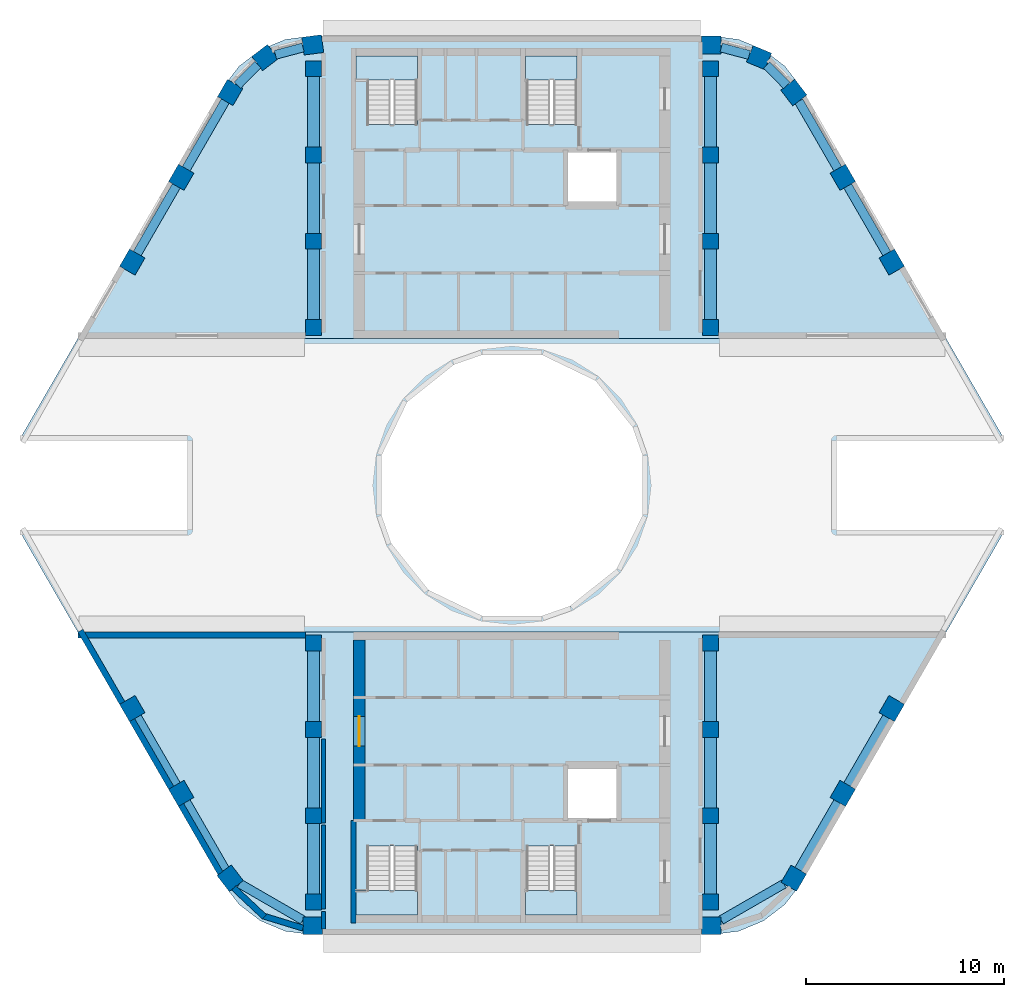
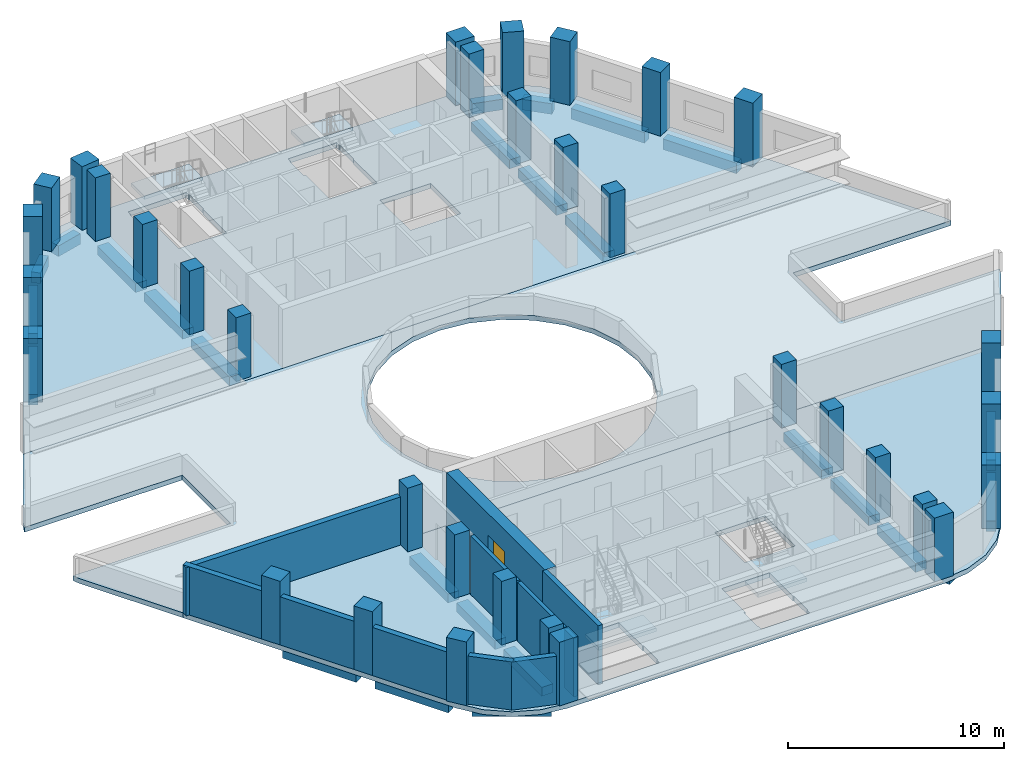
# One storey, part 1 of 9: 34 columns, 26 beams, 11 walls, 7 slabs, 1 door, 1 opening, 4 elements without a shape of their own.
"""IFC4 building model written with IfcOpenShell, lengths in metres."""

from ifc_helpers import new_model, si_unit, direction, frame, frame_2d, origin, origin_2d, place, context, subcontext, project, spatial, polyline, rectangle, outline, extrude, material, layer, layer_set, material_profile, profile_set, type_object, element, fill, aggregate, save


model = new_model("IFC4")

# Units and contexts
model_context = context("Model", 3, precision=1e-05, world=origin(), true_north=direction((0.0, 1.0)))
body_context = subcontext(model_context, "Body", "Model", "MODEL_VIEW")
ifc_project = project(units=[si_unit("LENGTHUNIT", "METRE"), si_unit("AREAUNIT", "SQUARE_METRE"), si_unit("VOLUMEUNIT", "CUBIC_METRE"), si_unit("PLANEANGLEUNIT", "RADIAN"), si_unit("MASSUNIT", "GRAM", prefix="KILO")], contexts=[model_context])

# Site, building, storey
site_placement = place(None, origin())
site = spatial("IfcSite", under=ifc_project, at=site_placement, CompositionType="ELEMENT")
building_placement = place(site_placement, origin())
building = spatial("IfcBuilding", under=site, at=building_placement, Name="Nakaniwa Court", CompositionType="ELEMENT")
storey_placement = place(building_placement, frame((0.0, 0.0, 276.0)))
storey = spatial("IfcBuildingStorey", under=building, at=storey_placement, Name="C02", CompositionType="ELEMENT", Elevation=276.0)

# Columns
ifc_material_1 = material(Name="Concrete C80/100", Category="concrete")
ifc_material_profile_1 = material_profile(ifc_material_1, rectangle(XDim=1.0, YDim=0.89990234375, at=origin_2d()), Name="Concrete C80/100 RC 1000x900 perimeter column")
ifc_profile_set_1 = profile_set([ifc_material_profile_1], Name="Concrete C80/100")
column_type_1 = type_object("IfcColumnType", Name="Concrete C80/100 RC 1000x900 perimeter column", PredefinedType="COLUMN", material=ifc_profile_set_1)
for number, where, z_axis, x_axis, name in (
    (1, (69.95458984375, 102.199951171875, 0.0), (0.0, 0.0, 1.0), (-0.991442583111, -0.130543496177, 0.0), "COLUMN CO-01"),
    (2, (67.552001953125, 101.560302734375, 0.0), (0.0, 0.0, 1.0), (-0.793363965062, -0.608747582288, 0.0), "COLUMN CO-02"),
    (3, (65.796875, 99.799560546875, 0.0), (0.0, 0.0, 1.0), (-0.5, -0.866025403784, 0.0), "COLUMN CO-03"),
    (4, (63.328857421875, 95.524658203125, 0.0), (0.0, 0.0, 1.0), (-0.5, -0.866025403784, 0.0), "COLUMN CO-04"),
    (5, (60.860595703125, 91.249755859375, 0.0), (0.0, 0.0, 1.0), (-0.5, -0.866025403784, 0.0), "COLUMN CO-05"),
    (6, (60.860595703125, 68.750244140625, 0.0), (0.0, 0.0, 1.0), (0.5, -0.866025403784, 0.0), "COLUMN CO-14"),
    (7, (63.328857421875, 64.475341796875, 0.0), (0.0, 0.0, 1.0), (0.5, -0.866025403784, 0.0), "COLUMN CO-15"),
    (8, (65.796875, 60.200439453125, 0.0), (0.0, 0.0, 1.0), (0.608761429009, -0.793353340291, 0.0), "COLUMN CO-16"),
    (9, (69.95458984375, 57.800048828125, 0.0), (0.0, 0.0, 1.0), (1.0, 0.0, 0.0), "COLUMN CO-17"),
    (10, (90.03955078125, 57.800048828125, 0.0), (0.0, 0.0, 1.0), (1.0, 0.0, 0.0), "COLUMN CO-21"),
    (11, (94.203125, 60.200439453125, 0.0), (0.0, 0.0, 1.0), (0.5, 0.866025403784, 0.0), "COLUMN CO-22"),
    (12, (96.671142578125, 64.475341796875, 0.0), (0.0, 0.0, 1.0), (0.5, 0.866025403784, 0.0), "COLUMN CO-23"),
    (13, (99.139404296875, 68.750244140625, 0.0), (0.0, 0.0, 1.0), (0.5, 0.866025403784, 0.0), "COLUMN CO-24"),
    (14, (99.139404296875, 91.249755859375, 0.0), (0.0, 0.0, 1.0), (-0.5, 0.866025403784, 0.0), "COLUMN CO-33"),
    (15, (96.671142578125, 95.524658203125, 0.0), (0.0, 0.0, 1.0), (-0.5, 0.866025403784, 0.0), "COLUMN CO-34"),
    (16, (94.203125, 99.799560546875, 0.0), (0.0, 0.0, 1.0), (-0.608761429009, 0.793353340291, 0.0), "COLUMN CO-35"),
    (17, (92.447998046875, 101.560302734375, 0.0), (0.0, 0.0, 1.0), (-0.923879532511, 0.382683432365, 0.0), "COLUMN CO-36"),
    (18, (90.04541015625, 102.199951171875, 0.0), (0.0, 0.0, 1.0), (-1.0, 0.0, 0.0), "COLUMN CO-37"),
):
    element("IfcColumn", number, at=place(storey_placement, frame(where, z_axis=z_axis, x_axis=x_axis)), inside=storey, type_object=column_type_1, Name=name, PredefinedType="COLUMN", context=body_context, shape_type="SweptSolid", body=[
        extrude(rectangle(XDim=1.0, YDim=0.89990234375, at=origin_2d()), origin(), (0.0, 0.0, 1.0), 3.60009765625),
    ])
ifc_material_profile_2 = material_profile(ifc_material_1, rectangle(XDim=0.800048828125, YDim=0.800048828125, at=origin_2d()), Name="Concrete C80/100 RC 800x800 spine column")
ifc_profile_set_2 = profile_set([ifc_material_profile_2], Name="Concrete C80/100")
column_type_2 = type_object("IfcColumnType", Name="Concrete C80/100 RC 800x800 spine column", PredefinedType="COLUMN", material=ifc_profile_set_2)
for number, where, z_axis, x_axis, name in (
    (19, (90.0, 59.0, 0.0), (0.0, 0.0, 1.0), (0.0, 1.0, 0.0), "COLUMN CS-01"),
    (20, (90.0, 63.35009765625, 0.0), (0.0, 0.0, 1.0), (0.0, 1.0, 0.0), "COLUMN CS-02"),
    (21, (90.0, 67.699951171875, 0.0), (0.0, 0.0, 1.0), (0.0, 1.0, 0.0), "COLUMN CS-03"),
    (22, (90.0, 72.050048828125, 0.0), (0.0, 0.0, 1.0), (0.0, 1.0, 0.0), "COLUMN CS-04"),
    (23, (90.0, 87.949951171875, 0.0), (0.0, 0.0, 1.0), (0.0, 1.0, 0.0), "COLUMN CS-07"),
    (24, (90.0, 92.300048828125, 0.0), (0.0, 0.0, 1.0), (0.0, 1.0, 0.0), "COLUMN CS-08"),
    (25, (90.0, 96.64990234375, 0.0), (0.0, 0.0, 1.0), (0.0, 1.0, 0.0), "COLUMN CS-09"),
    (26, (90.0, 101.0, 0.0), (0.0, 0.0, 1.0), (0.0, 1.0, 0.0), "COLUMN CS-10"),
    (27, (70.0, 101.0, 0.0), (0.0, 0.0, 1.0), (0.0, -1.0, 0.0), "COLUMN CS-11"),
    (28, (70.0, 96.64990234375, 0.0), (0.0, 0.0, 1.0), (0.0, -1.0, 0.0), "COLUMN CS-12"),
    (29, (70.0, 92.300048828125, 0.0), (0.0, 0.0, 1.0), (0.0, -1.0, 0.0), "COLUMN CS-13"),
    (30, (70.0, 87.949951171875, 0.0), (0.0, 0.0, 1.0), (0.0, -1.0, 0.0), "COLUMN CS-14"),
    (31, (70.0, 72.050048828125, 0.0), (0.0, 0.0, 1.0), (0.0, -1.0, 0.0), "COLUMN CS-17"),
    (32, (70.0, 67.699951171875, 0.0), (0.0, 0.0, 1.0), (0.0, -1.0, 0.0), "COLUMN CS-18"),
    (33, (70.0, 63.35009765625, 0.0), (0.0, 0.0, 1.0), (0.0, -1.0, 0.0), "COLUMN CS-19"),
    (34, (70.0, 59.0, 0.0), (0.0, 0.0, 1.0), (0.0, -1.0, 0.0), "COLUMN CS-20"),
):
    element("IfcColumn", number, at=place(storey_placement, frame(where, z_axis=z_axis, x_axis=x_axis)), inside=storey, type_object=column_type_2, Name=name, PredefinedType="COLUMN", context=body_context, shape_type="SweptSolid", body=[
        extrude(rectangle(XDim=0.800048828125, YDim=0.800048828125, at=origin_2d()), origin(), (0.0, 0.0, 1.0), 3.60009765625),
    ])

# Beams
ifc_material_profile_3 = material_profile(ifc_material_1, rectangle(XDim=0.449951171875, YDim=0.60009765625, at=origin_2d()), Name="Concrete C80/100 RC 450x600 spandrel beam")
ifc_profile_set_3 = profile_set([ifc_material_profile_3], Name="Concrete C80/100")
beam_type_1 = type_object("IfcBeamType", Name="Concrete C80/100 RC 450x600 spandrel beam", PredefinedType="BEAM", material=ifc_profile_set_3)
beam_1_placement = place(storey_placement, frame((69.467529296875, 102.0703125, -0.574951171875), z_axis=(-0.966341744737, -0.257261797354, 0.0), x_axis=(0.257261797354, -0.966341744737, 0.0)))
element("IfcBeam", 35, at=beam_1_placement, inside=storey, type_object=beam_type_1, Name="SPANDREL BEAM", PredefinedType="BEAM", context=body_context, shape_type="SweptSolid", body=[
    extrude(rectangle(XDim=0.449951171875, YDim=0.60009765625, at=origin_2d()), origin(), (0.0, 0.0, 1.0), 1.440673828125),
])
beam_2_placement = place(storey_placement, frame((67.196044921875, 101.202880859375, -0.574951171875), z_axis=(-0.706105687672, -0.708106459396, 0.0), x_axis=(0.708106459396, -0.706105687672, 0.0)))
element("IfcBeam", 36, at=beam_2_placement, inside=storey, type_object=beam_type_1, Name="SPANDREL BEAM", PredefinedType="BEAM", context=body_context, shape_type="SweptSolid", body=[
    extrude(rectangle(XDim=0.449951171875, YDim=0.60009765625, at=origin_2d()), origin(), (0.0, 0.0, 1.0), 1.46435546875),
])
for number, where, z_axis, x_axis, name in (
    (37, (65.546875, 99.366455078125, -0.574951171875), (-0.499974795965, -0.866039954852, 0.0), (0.866039954852, -0.499974795965, 0.0), "SPANDREL BEAM"),
    (38, (63.078857421875, 95.091552734375, -0.574951171875), (-0.500021313302, -0.866013098194, 0.0), (0.866013098194, -0.500021313302, 0.0), "SPANDREL BEAM"),
    (39, (61.110595703125, 68.3173828125, -0.574951171875), (0.500021313302, -0.866013098194, 0.0), (0.866013098194, 0.500021313302, 0.0), "SPANDREL BEAM"),
):
    element("IfcBeam", number, at=place(storey_placement, frame(where, z_axis=z_axis, x_axis=x_axis)), inside=storey, type_object=beam_type_1, Name=name, PredefinedType="BEAM", context=body_context, shape_type="SweptSolid", body=[
        extrude(rectangle(XDim=0.449951171875, YDim=0.60009765625, at=origin_2d()), origin(), (0.0, 0.0, 1.0), 3.936279296875),
    ])
beam_3_placement = place(storey_placement, frame((63.578857421875, 64.04248046875, -0.574951171875), z_axis=(0.499958946799, -0.866049104564, 0.0), x_axis=(0.866049104564, 0.499958946799, 0.0)))
element("IfcBeam", 40, at=beam_3_placement, inside=storey, type_object=beam_type_1, Name="SPANDREL BEAM", PredefinedType="BEAM", context=body_context, shape_type="SweptSolid", body=[
    extrude(rectangle(XDim=0.449951171875, YDim=0.60009765625, at=origin_2d()), origin(), (0.0, 0.0, 1.0), 3.931884765625),
])
beam_4_placement = place(storey_placement, frame((66.265625, 59.929931640625, -0.574951171875), z_axis=(0.866006720078, -0.500032359733, 0.0), x_axis=(0.500032359733, 0.866006720078, 0.0)))
element("IfcBeam", 41, at=beam_4_placement, inside=storey, type_object=beam_type_1, Name="SPANDREL BEAM", PredefinedType="BEAM", context=body_context, shape_type="SweptSolid", body=[
    extrude(rectangle(XDim=0.449951171875, YDim=0.60009765625, at=origin_2d()), origin(), (0.0, 0.0, 1.0), 3.682373046875),
])
beam_5_placement = place(storey_placement, frame((90.53955078125, 58.08837890625, -0.574951171875), z_axis=(0.866335820263, 0.49946195704, 0.0), x_axis=(-0.49946195704, 0.866335820263, 0.0)))
element("IfcBeam", 42, at=beam_5_placement, inside=storey, type_object=beam_type_1, Name="SPANDREL BEAM", PredefinedType="BEAM", context=body_context, shape_type="SweptSolid", body=[
    extrude(rectangle(XDim=0.449951171875, YDim=0.60009765625, at=origin_2d()), origin(), (0.0, 0.0, 1.0), 3.6513671875),
])
for number, where, z_axis, x_axis, name in (
    (43, (94.453125, 60.633544921875, -0.574951171875), (0.499974795965, 0.866039954852, 0.0), (-0.866039954852, 0.499974795965, 0.0), "SPANDREL BEAM"),
    (44, (96.921142578125, 64.908447265625, -0.574951171875), (0.500021313302, 0.866013098194, 0.0), (-0.866013098194, 0.500021313302, 0.0), "SPANDREL BEAM"),
    (45, (98.889404296875, 91.6826171875, -0.574951171875), (-0.500021313302, 0.866013098194, 0.0), (-0.866013098194, -0.500021313302, 0.0), "SPANDREL BEAM"),
):
    element("IfcBeam", number, at=place(storey_placement, frame(where, z_axis=z_axis, x_axis=x_axis)), inside=storey, type_object=beam_type_1, Name=name, PredefinedType="BEAM", context=body_context, shape_type="SweptSolid", body=[
        extrude(rectangle(XDim=0.449951171875, YDim=0.60009765625, at=origin_2d()), origin(), (0.0, 0.0, 1.0), 3.936279296875),
    ])
beam_6_placement = place(storey_placement, frame((96.421142578125, 95.95751953125, -0.574951171875), z_axis=(-0.499958946799, 0.866049104564, 0.0), x_axis=(-0.866049104564, -0.499958946799, 0.0)))
element("IfcBeam", 46, at=beam_6_placement, inside=storey, type_object=beam_type_1, Name="SPANDREL BEAM", PredefinedType="BEAM", context=body_context, shape_type="SweptSolid", body=[
    extrude(rectangle(XDim=0.449951171875, YDim=0.60009765625, at=origin_2d()), origin(), (0.0, 0.0, 1.0), 3.931884765625),
])
beam_7_placement = place(storey_placement, frame((93.84716796875, 100.156494140625, -0.574951171875), z_axis=(-0.706004380105, 0.708207466265, 0.0), x_axis=(-0.708207466265, -0.706004380105, 0.0)))
element("IfcBeam", 47, at=beam_7_placement, inside=storey, type_object=beam_type_1, Name="SPANDREL BEAM", PredefinedType="BEAM", context=body_context, shape_type="SweptSolid", body=[
    extrude(rectangle(XDim=0.449951171875, YDim=0.60009765625, at=origin_2d()), origin(), (0.0, 0.0, 1.0), 1.440673828125),
])
beam_8_placement = place(storey_placement, frame((91.96044921875, 101.68994140625, -0.574951171875), z_axis=(-0.966301318257, 0.257413601689, 0.0), x_axis=(-0.257413601689, -0.966301318257, 0.0)))
element("IfcBeam", 48, at=beam_8_placement, inside=storey, type_object=beam_type_1, Name="SPANDREL BEAM", PredefinedType="BEAM", context=body_context, shape_type="SweptSolid", body=[
    extrude(rectangle(XDim=0.449951171875, YDim=0.60009765625, at=origin_2d()), origin(), (0.0, 0.0, 1.0), 1.46435546875),
])
ifc_material_profile_4 = material_profile(ifc_material_1, rectangle(XDim=0.60009765625, YDim=0.5, at=origin_2d()), Name="Concrete C80/100 RC 600x500 ring beam")
ifc_profile_set_4 = profile_set([ifc_material_profile_4], Name="Concrete C80/100")
beam_type_2 = type_object("IfcBeamType", Name="Concrete C80/100 RC 600x500 ring beam", PredefinedType="BEAM", material=ifc_profile_set_4)
for number, where, z_axis, x_axis, name in (
    (49, (90.0, 59.39990234375, -0.52490234375), (0.0, 1.0, 0.0), (-1.0, 0.0, 0.0), "RING BEAM"),
    (50, (90.0, 63.75, -0.52490234375), (0.0, 1.0, 0.0), (-1.0, 0.0, 0.0), "RING BEAM"),
):
    element("IfcBeam", number, at=place(storey_placement, frame(where, z_axis=z_axis, x_axis=x_axis)), inside=storey, type_object=beam_type_2, Name=name, PredefinedType="BEAM", context=body_context, shape_type="SweptSolid", body=[
        extrude(rectangle(XDim=0.60009765625, YDim=0.5, at=origin_2d()), origin(), (0.0, 0.0, 1.0), 3.550048828125),
    ])
for number, where, z_axis, x_axis, name in (
    (51, (90.0, 68.10009765625, -0.52490234375), (0.0, 1.0, 0.0), (-1.0, 0.0, 0.0), "RING BEAM"),
    (52, (90.0, 88.35009765625, -0.52490234375), (0.0, 1.0, 0.0), (-1.0, 0.0, 0.0), "RING BEAM"),
):
    element("IfcBeam", number, at=place(storey_placement, frame(where, z_axis=z_axis, x_axis=x_axis)), inside=storey, type_object=beam_type_2, Name=name, PredefinedType="BEAM", context=body_context, shape_type="SweptSolid", body=[
        extrude(rectangle(XDim=0.60009765625, YDim=0.5, at=origin_2d()), origin(), (0.0, 0.0, 1.0), 3.5498046875),
    ])
for number, where, z_axis, x_axis, name in (
    (53, (90.0, 92.699951171875, -0.52490234375), (0.0, 1.0, 0.0), (-1.0, 0.0, 0.0), "RING BEAM"),
    (54, (90.0, 97.050048828125, -0.52490234375), (0.0, 1.0, 0.0), (-1.0, 0.0, 0.0), "RING BEAM"),
    (55, (70.0, 100.60009765625, -0.52490234375), (0.0, -1.0, 0.0), (1.0, 0.0, 0.0), "RING BEAM"),
    (56, (70.0, 96.25, -0.52490234375), (0.0, -1.0, 0.0), (1.0, 0.0, 0.0), "RING BEAM"),
):
    element("IfcBeam", number, at=place(storey_placement, frame(where, z_axis=z_axis, x_axis=x_axis)), inside=storey, type_object=beam_type_2, Name=name, PredefinedType="BEAM", context=body_context, shape_type="SweptSolid", body=[
        extrude(rectangle(XDim=0.60009765625, YDim=0.5, at=origin_2d()), origin(), (0.0, 0.0, 1.0), 3.550048828125),
    ])
for number, where, z_axis, x_axis, name in (
    (57, (70.0, 91.89990234375, -0.52490234375), (0.0, -1.0, 0.0), (1.0, 0.0, 0.0), "RING BEAM"),
    (58, (70.0, 71.64990234375, -0.52490234375), (0.0, -1.0, 0.0), (1.0, 0.0, 0.0), "RING BEAM"),
):
    element("IfcBeam", number, at=place(storey_placement, frame(where, z_axis=z_axis, x_axis=x_axis)), inside=storey, type_object=beam_type_2, Name=name, PredefinedType="BEAM", context=body_context, shape_type="SweptSolid", body=[
        extrude(rectangle(XDim=0.60009765625, YDim=0.5, at=origin_2d()), origin(), (0.0, 0.0, 1.0), 3.5498046875),
    ])
for number, where, z_axis, x_axis, name in (
    (59, (70.0, 67.300048828125, -0.52490234375), (0.0, -1.0, 0.0), (1.0, 0.0, 0.0), "RING BEAM"),
    (60, (70.0, 62.949951171875, -0.52490234375), (0.0, -1.0, 0.0), (1.0, 0.0, 0.0), "RING BEAM"),
):
    element("IfcBeam", number, at=place(storey_placement, frame(where, z_axis=z_axis, x_axis=x_axis)), inside=storey, type_object=beam_type_2, Name=name, PredefinedType="BEAM", context=body_context, shape_type="SweptSolid", body=[
        extrude(rectangle(XDim=0.60009765625, YDim=0.5, at=origin_2d()), origin(), (0.0, 0.0, 1.0), 3.550048828125),
    ])

# Slabs
ifc_layer_1 = layer(ifc_material_1, 0.27490234375)
ifc_layer_set_1 = layer_set([ifc_layer_1], Name="Concrete C80/100")
slab_type_1 = type_object("IfcSlabType", Name="Concrete C80/100 post tensioned floor slab 275", PredefinedType="FLOOR", material=ifc_layer_set_1)
slab_1_placement = place(storey_placement, frame((0.0, 0.0, -0.27490234375)))
element("IfcSlab", 61, at=slab_1_placement, inside=storey, type_object=slab_type_1, Name="FLOOR SLAB", PredefinedType="FLOOR", context=body_context, shape_type="SweptSolid", body=[
    extrude(outline(polyline([(93.751708984375, 58.873046875), (94.578125, 59.949951171875), (101.881591796875, 72.60009765625), (58.118408203125, 72.60009765625), (65.421875, 59.949951171875), (66.248291015625, 58.873046875), (67.3251953125, 58.046630859375), (68.579345703125, 57.527099609375), (69.92529296875, 57.35009765625), (90.07470703125, 57.35009765625), (91.420654296875, 57.527099609375), (92.6748046875, 58.046630859375), (93.751708984375, 58.873046875)]), holes=[polyline([(75.22509765625, 58.31005859375), (75.264892578125, 58.31005859375), (75.264892578125, 59.614990234375), (75.22509765625, 59.614990234375), (75.22509765625, 61.81005859375), (72.675048828125, 61.81005859375), (72.675048828125, 59.614990234375), (72.0849609375, 59.614990234375), (72.0849609375, 58.31005859375), (72.125, 58.31005859375), (72.125, 58.074951171875), (75.22509765625, 58.074951171875), (75.22509765625, 58.31005859375)]), polyline([(83.27490234375, 58.31005859375), (83.31494140625, 58.31005859375), (83.31494140625, 59.614990234375), (83.27490234375, 59.614990234375), (83.27490234375, 61.81005859375), (80.72509765625, 61.81005859375), (80.72509765625, 59.614990234375), (80.635009765625, 59.614990234375), (80.635009765625, 58.31005859375), (80.675048828125, 58.31005859375), (80.675048828125, 58.074951171875), (83.27490234375, 58.074951171875), (83.27490234375, 58.31005859375)]), polyline([(82.699951171875, 63.10009765625), (85.39990234375, 63.10009765625), (85.39990234375, 65.89990234375), (82.699951171875, 65.89990234375), (82.699951171875, 63.10009765625)])]), origin(), (0.0, 0.0, 1.0), 0.27490234375),
])
slab_2_placement = place(storey_placement, frame((0.0, 0.0, -0.27490234375)))
element("IfcSlab", 62, at=slab_2_placement, inside=storey, type_object=slab_type_1, Name="FLOOR SLAB", PredefinedType="FLOOR", context=body_context, shape_type="SweptSolid", body=[
    extrude(outline(polyline([(66.248291015625, 101.126953125), (65.421875, 100.050048828125), (58.118408203125, 87.39990234375), (101.881591796875, 87.39990234375), (94.578125, 100.050048828125), (93.751708984375, 101.126953125), (92.6748046875, 101.953369140625), (91.420654296875, 102.472900390625), (90.07470703125, 102.64990234375), (69.92529296875, 102.64990234375), (68.579345703125, 102.472900390625), (67.3251953125, 101.953369140625), (66.248291015625, 101.126953125)]), holes=[polyline([(85.39990234375, 94.10009765625), (85.39990234375, 96.89990234375), (82.699951171875, 96.89990234375), (82.699951171875, 94.10009765625), (85.39990234375, 94.10009765625)]), polyline([(75.22509765625, 98.18994140625), (75.22509765625, 100.385009765625), (75.264892578125, 100.385009765625), (75.264892578125, 101.68994140625), (75.22509765625, 101.68994140625), (75.22509765625, 101.925048828125), (72.125, 101.925048828125), (72.125, 101.68994140625), (72.0849609375, 101.68994140625), (72.0849609375, 100.385009765625), (72.675048828125, 100.385009765625), (72.675048828125, 98.18994140625), (75.22509765625, 98.18994140625)]), polyline([(83.27490234375, 100.385009765625), (83.31494140625, 100.385009765625), (83.31494140625, 101.68994140625), (83.27490234375, 101.68994140625), (83.27490234375, 101.925048828125), (80.675048828125, 101.925048828125), (80.675048828125, 101.68994140625), (80.635009765625, 101.68994140625), (80.635009765625, 100.385009765625), (80.72509765625, 100.385009765625), (80.72509765625, 98.18994140625), (83.27490234375, 98.18994140625), (83.27490234375, 100.385009765625)])]), origin(), (0.0, 0.0, 1.0), 0.27490234375),
])
ifc_layer_2 = layer(ifc_material_1, 0.27490234375)
ifc_layer_set_2 = layer_set([ifc_layer_2], Name="Concrete C80/100")
slab_type_2 = type_object("IfcSlabType", Name="Concrete C80/100 roof slab 275", PredefinedType="ROOF", material=ifc_layer_set_2)
slab_3_placement = place(storey_placement, frame((0.0, 0.0, -0.27490234375)))
element("IfcSlab", 63, at=slab_3_placement, inside=storey, type_object=slab_type_2, Name="ROOF SLAB", PredefinedType="ROOF", context=body_context, shape_type="SweptSolid", body=[
    extrude(outline(polyline([(96.349609375, 82.25), (104.7978515625, 82.25), (104.65283203125, 82.60009765625), (101.881591796875, 87.39990234375), (58.118408203125, 87.39990234375), (55.34716796875, 82.60009765625), (55.2021484375, 82.25), (63.650390625, 82.25), (63.650390625, 77.75), (55.2021484375, 77.75), (55.34716796875, 77.39990234375), (58.118408203125, 72.60009765625), (101.881591796875, 72.60009765625), (104.65283203125, 77.39990234375), (104.7978515625, 77.75), (96.349609375, 77.75), (96.349609375, 82.25)]), holes=[polyline([(86.08154296875, 82.9287109375), (85.27734375, 84.20849609375), (84.20849609375, 85.27734375), (82.9287109375, 86.08154296875), (81.501953125, 86.580810546875), (80.0, 86.75), (78.498046875, 86.580810546875), (77.0712890625, 86.08154296875), (75.79150390625, 85.27734375), (74.72265625, 84.20849609375), (73.91845703125, 82.9287109375), (73.419189453125, 81.501953125), (73.25, 80.0), (73.419189453125, 78.498046875), (73.91845703125, 77.0712890625), (74.72265625, 75.79150390625), (75.79150390625, 74.72265625), (77.0712890625, 73.91845703125), (78.498046875, 73.419189453125), (80.0, 73.25), (81.501953125, 73.419189453125), (82.9287109375, 73.91845703125), (84.20849609375, 74.72265625), (85.27734375, 75.79150390625), (86.08154296875, 77.0712890625), (86.580810546875, 78.498046875), (86.75, 80.0), (86.580810546875, 81.501953125), (86.08154296875, 82.9287109375)])]), origin(), (0.0, 0.0, 1.0), 0.27490234375),
])

# Stair, slab
stair_type = type_object("IfcStairType", Name="Dog leg stair 1200 wide 20 risers", PredefinedType="HALF_TURN_STAIR", material=ifc_material_1)
stair_1_placement = place(storey_placement, origin())
stair_1 = element("IfcStair", 64, at=stair_1_placement, inside=storey, type_object=stair_type, Name="C02 Stair ST1", PredefinedType="HALF_TURN_STAIR")
ifc_layer_3 = layer(ifc_material_1, 0.199951171875)
ifc_layer_set_3 = layer_set([ifc_layer_3], Name="Concrete C80/100")
slab_type_3 = type_object("IfcSlabType", Name="Stair landing concrete", PredefinedType="LANDING", material=ifc_layer_set_3)
slab_4_placement = place(storey_placement, frame((0.0, 0.0, 1.60009765625)))
slab_4 = element("IfcSlab", 65, at=slab_4_placement, type_object=slab_type_3, Name="ST1 landing 1", PredefinedType="LANDING", context=body_context, shape_type="SweptSolid", body=[
    extrude(outline(polyline([(75.22509765625, 100.425048828125), (75.22509765625, 101.64990234375), (72.125, 101.64990234375), (72.125, 100.425048828125), (75.22509765625, 100.425048828125)])), origin(), (0.0, 0.0, 1.0), 0.199951171875),
])
aggregate(stair_1, [slab_4])

stair_2_placement = place(storey_placement, origin())
stair_2 = element("IfcStair", 66, at=stair_2_placement, inside=storey, type_object=stair_type, Name="C02 Stair ST2", PredefinedType="HALF_TURN_STAIR")
slab_5_placement = place(storey_placement, frame((0.0, 0.0, 1.60009765625)))
slab_5 = element("IfcSlab", 67, at=slab_5_placement, type_object=slab_type_3, Name="ST2 landing 1", PredefinedType="LANDING", context=body_context, shape_type="SweptSolid", body=[
    extrude(outline(polyline([(83.27490234375, 100.425048828125), (83.27490234375, 101.64990234375), (80.675048828125, 101.64990234375), (80.675048828125, 100.425048828125), (83.27490234375, 100.425048828125)])), origin(), (0.0, 0.0, 1.0), 0.199951171875),
])
aggregate(stair_2, [slab_5])

stair_3_placement = place(storey_placement, origin())
stair_3 = element("IfcStair", 68, at=stair_3_placement, inside=storey, type_object=stair_type, Name="C02 Stair ST3", PredefinedType="HALF_TURN_STAIR")
slab_6_placement = place(storey_placement, frame((0.0, 0.0, 1.60009765625)))
slab_6 = element("IfcSlab", 69, at=slab_6_placement, type_object=slab_type_3, Name="ST3 landing 1", PredefinedType="LANDING", context=body_context, shape_type="SweptSolid", body=[
    extrude(outline(polyline([(75.22509765625, 58.35009765625), (75.22509765625, 59.574951171875), (72.125, 59.574951171875), (72.125, 58.35009765625), (75.22509765625, 58.35009765625)])), origin(), (0.0, 0.0, 1.0), 0.199951171875),
])
aggregate(stair_3, [slab_6])

stair_4_placement = place(storey_placement, origin())
stair_4 = element("IfcStair", 70, at=stair_4_placement, inside=storey, type_object=stair_type, Name="C02 Stair ST4", PredefinedType="HALF_TURN_STAIR")
slab_7_placement = place(storey_placement, frame((0.0, 0.0, 1.60009765625)))
slab_7 = element("IfcSlab", 71, at=slab_7_placement, type_object=slab_type_3, Name="ST4 landing 1", PredefinedType="LANDING", context=body_context, shape_type="SweptSolid", body=[
    extrude(outline(polyline([(83.27490234375, 58.35009765625), (83.27490234375, 59.574951171875), (80.675048828125, 59.574951171875), (80.675048828125, 58.35009765625), (83.27490234375, 58.35009765625)])), origin(), (0.0, 0.0, 1.0), 0.199951171875),
])
aggregate(stair_4, [slab_7])

# Walls
ifc_material_2 = material(Name="Acoustic double stud partition")
ifc_layer_4 = layer(ifc_material_2, 0.199951171875)
ifc_layer_set_4 = layer_set([ifc_layer_4], Name="Acoustic double stud partition")
wall_type_1 = type_object("IfcWallType", Name="Acoustic double stud partition 200", PredefinedType="PARTITIONING", material=ifc_layer_set_4)
wall_1_placement = place(storey_placement, frame((70.5, 57.64990234375, 0.0), z_axis=(0.0, 0.0, 1.0), x_axis=(0.0, 1.0, 0.0)))
element("IfcWall", 72, at=wall_1_placement, inside=storey, type_object=wall_type_1, Name="Partition PW-065", PredefinedType="PARTITIONING", context=body_context, shape_type="SweptSolid", body=[
    extrude(rectangle(XDim=0.873046875, YDim=0.199951171875, at=frame_2d((0.4365234375, 0.0))), origin(), (0.0, 0.0, 1.0), 3.324951171875),
])
wall_2_placement = place(storey_placement, frame((70.5, 58.636962890625, 0.0), z_axis=(0.0, 0.0, 1.0), x_axis=(0.0, 1.0, 0.0)))
element("IfcWall", 73, at=wall_2_placement, inside=storey, type_object=wall_type_1, Name="Partition PW-066", PredefinedType="PARTITIONING", context=body_context, shape_type="SweptSolid", body=[
    extrude(rectangle(XDim=4.236083984375, YDim=0.199951171875, at=frame_2d((2.1181640625, 0.0))), origin(), (0.0, 0.0, 1.0), 3.324951171875),
])
wall_3_placement = place(storey_placement, frame((70.5, 62.987060546875, 0.0), z_axis=(0.0, 0.0, 1.0), x_axis=(0.0, 1.0, 0.0)))
element("IfcWall", 74, at=wall_3_placement, inside=storey, type_object=wall_type_1, Name="Partition PW-067", PredefinedType="PARTITIONING", context=body_context, shape_type="SweptSolid", body=[
    extrude(rectangle(XDim=4.23583984375, YDim=0.199951171875, at=frame_2d((2.117919921875, 0.0))), origin(), (0.0, 0.0, 1.0), 3.324951171875),
])
ifc_material_3 = material(Name="Charcoal ceramic cladding")
ifc_layer_5 = layer(ifc_material_3, 0.02, Name="Ceramic cladding")
ifc_material_4 = material(Name="Ventilated air cavity")
ifc_layer_6 = layer(ifc_material_4, 0.04, ventilated=True, Name="Ventilated cavity")
ifc_material_5 = material(Name="Mineral wool insulation")
ifc_layer_7 = layer(ifc_material_5, 0.1, Name="Insulation")
ifc_material_6 = material(Name="Cement bonded sheathing board")
ifc_layer_8 = layer(ifc_material_6, 0.012, Name="Sheathing")
ifc_material_7 = material(Name="Cold-formed galvanised stud frame with mineral wool infill")
ifc_layer_9 = layer(ifc_material_7, 0.1, Name="Stud frame")
ifc_material_8 = material(Name="Fire-rated gypsum plasterboard lining")
ifc_layer_10 = layer(ifc_material_8, 0.028, Name="Lining")
ifc_layer_set_5 = layer_set([ifc_layer_5, ifc_layer_6, ifc_layer_7, ifc_layer_8, ifc_layer_9, ifc_layer_10], Name="Charcoal ceramic faced external wall system")
wall_type_2 = type_object("IfcWallType", Name="Black ceramic faced external wall 300", PredefinedType="SOLIDWALL", material=ifc_layer_set_5)
wall_4_placement = place(storey_placement, frame((69.60400390625, 72.449951171875, 0.0), z_axis=(0.0, 0.0, 1.0), x_axis=(-1.0, 0.0, 0.0)))
element("IfcWall", 75, at=wall_4_placement, inside=storey, type_object=wall_type_2, Name="C02 external wall 04", PredefinedType="SOLIDWALL", context=body_context, shape_type="SweptSolid", body=[
    extrude(rectangle(XDim=11.485595703125, YDim=0.300048828125, at=frame_2d((5.74267578125, 0.0))), origin(), (0.0, 0.0, 1.0), 2.72509765625),
])
wall_5_placement = place(storey_placement, frame((58.248291015625, 72.675048828125, 0.0), z_axis=(0.0, 0.0, 1.0), x_axis=(0.499981865284, -0.866035873614, 0.0)))
element("IfcWall", 76, at=wall_5_placement, inside=storey, type_object=wall_type_2, Name="C02 external wall 05", PredefinedType="SOLIDWALL", context=body_context, shape_type="SweptSolid", body=[
    extrude(rectangle(XDim=4.209228515625, YDim=0.300048828125, at=frame_2d((2.1044921875, 0.0))), origin(), (0.0, 0.0, 1.0), 2.72509765625),
])
wall_6_placement = place(storey_placement, frame((60.848876953125, 68.1708984375, 0.0), z_axis=(0.0, 0.0, 1.0), x_axis=(0.499986771468, -0.866033041146, 0.0)))
element("IfcWall", 77, at=wall_6_placement, inside=storey, type_object=wall_type_2, Name="C02 external wall 06", PredefinedType="SOLIDWALL", context=body_context, shape_type="SweptSolid", body=[
    extrude(rectangle(XDim=3.9443359375, YDim=0.300048828125, at=frame_2d((1.97216796875, 0.0))), origin(), (0.0, 0.0, 1.0), 2.72509765625),
])
wall_7_placement = place(storey_placement, frame((63.31689453125, 63.89599609375, 0.0), z_axis=(0.0, 0.0, 1.0), x_axis=(0.500005687176, -0.866022120267, 0.0)))
element("IfcWall", 78, at=wall_7_placement, inside=storey, type_object=wall_type_2, Name="C02 external wall 07", PredefinedType="SOLIDWALL", context=body_context, shape_type="SweptSolid", body=[
    extrude(rectangle(XDim=3.9794921875, YDim=0.300048828125, at=frame_2d((1.98974609375, 0.0))), origin(), (0.0, 0.0, 1.0), 2.72509765625),
])
wall_8_placement = place(storey_placement, frame((65.9697265625, 59.7080078125, 0.0), z_axis=(0.0, 0.0, 1.0), x_axis=(0.72926487109, -0.684231501609, 0.0)))
element("IfcWall", 79, at=wall_8_placement, inside=storey, type_object=wall_type_2, Name="C02 external wall 08", PredefinedType="SOLIDWALL", context=body_context, shape_type="SweptSolid", body=[
    extrude(rectangle(XDim=2.125244140625, YDim=0.300048828125, at=frame_2d((1.0625, 0.0))), origin(), (0.0, 0.0, 1.0), 2.72509765625),
])
wall_9_placement = place(storey_placement, frame((67.406982421875, 58.31298828125, 0.0), z_axis=(0.0, 0.0, 1.0), x_axis=(0.955955937739, -0.293510212944, 0.0)))
element("IfcWall", 80, at=wall_9_placement, inside=storey, type_object=wall_type_2, Name="C02 external wall 09", PredefinedType="SOLIDWALL", context=body_context, shape_type="SweptSolid", body=[
    extrude(rectangle(XDim=2.14599609375, YDim=0.300048828125, at=frame_2d((1.072998046875, 0.0))), origin(), (0.0, 0.0, 1.0), 2.72509765625),
])

# Wall, opening, door
ifc_layer_11 = layer(ifc_material_1, 0.60009765625)
ifc_layer_set_6 = layer_set([ifc_layer_11], Name="Concrete C80/100")
wall_type_3 = type_object("IfcWallType", Name="Concrete core side wall 600 C80", PredefinedType="SHEAR", material=ifc_layer_set_6)
wall_10_placement = place(storey_placement, frame((72.300048828125, 63.10009765625, -0.27490234375), z_axis=(0.0, 0.0, 1.0), x_axis=(0.0, 1.0, 0.0)))
wall_10 = element("IfcWall", 81, at=wall_10_placement, inside=storey, type_object=wall_type_3, Name="Core wall SW-32", PredefinedType="SHEAR", context=body_context, shape_type="SweptSolid", body=[
    extrude(rectangle(XDim=9.099853515625, YDim=0.60009765625, at=frame_2d((4.5498046875, 0.0))), origin(), (0.0, 0.0, 1.0), 3.599853515625),
])
opening_placement = place(wall_10_placement, frame((3.75, 0.0, 0.27490234375)))
opening = element("IfcOpeningElement", 82, at=opening_placement, cuts=wall_10, Name="Opening D-07-04", PredefinedType="OPENING", context=body_context, shape_type="SweptSolid", body=[
    extrude(rectangle(XDim=1.5, YDim=2.10009765625, at=frame_2d((0.75, 1.050048828125))), frame((0.0, 0.31005859375, 0.0), z_axis=(0.0, -1.0, 0.0), x_axis=(1.0, 0.0, 0.0)), (0.0, 0.0, 1.0), 0.6201171875),
])
ifc_material_9 = material(Name="Glazed fire rated steel double door set", Category="steel")
door_type = type_object("IfcDoorType", Name="Lobby double door 1500", OperationType="NOTDEFINED", PredefinedType="DOOR", material=ifc_material_9)
door_placement = place(opening_placement, origin())
door = element("IfcDoor", 83, at=door_placement, inside=storey, type_object=door_type, Name="Door D-07-04 C02-041", OperationType="DOUBLE_DOOR_SINGLE_SWING", OverallHeight=2.10009765625, OverallWidth=1.5, PredefinedType="DOOR", context=body_context, shape_type="SweptSolid", body=[
    extrude(rectangle(XDim=1.5, YDim=2.10009765625, at=frame_2d((0.75, 1.050048828125))), frame((0.0, 0.02490234375, 0.0), z_axis=(0.0, -1.0, 0.0), x_axis=(1.0, 0.0, 0.0)), (0.0, 0.0, 1.0), 0.050048828125),
])
fill(opening, door)

# Wall
ifc_layer_12 = layer(ifc_material_1, 0.25)
ifc_layer_set_7 = layer_set([ifc_layer_12], Name="Concrete C80/100")
wall_type_4 = type_object("IfcWallType", Name="Concrete core wall 250 C80", PredefinedType="SHEAR", material=ifc_layer_set_7)
wall_11_placement = place(storey_placement, frame((72.0, 57.949951171875, -0.27490234375), z_axis=(0.0, 0.0, 1.0), x_axis=(0.0, 1.0, 0.0)))
element("IfcWall", 84, at=wall_11_placement, inside=storey, type_object=wall_type_4, Name="Core wall SW-50", PredefinedType="SHEAR", context=body_context, shape_type="SweptSolid", body=[
    extrude(rectangle(XDim=5.150146484375, YDim=0.25, at=frame_2d((2.5751953125, 0.0))), origin(), (0.0, 0.0, 1.0), 3.599853515625),
])

save(model, "model.ifc")
